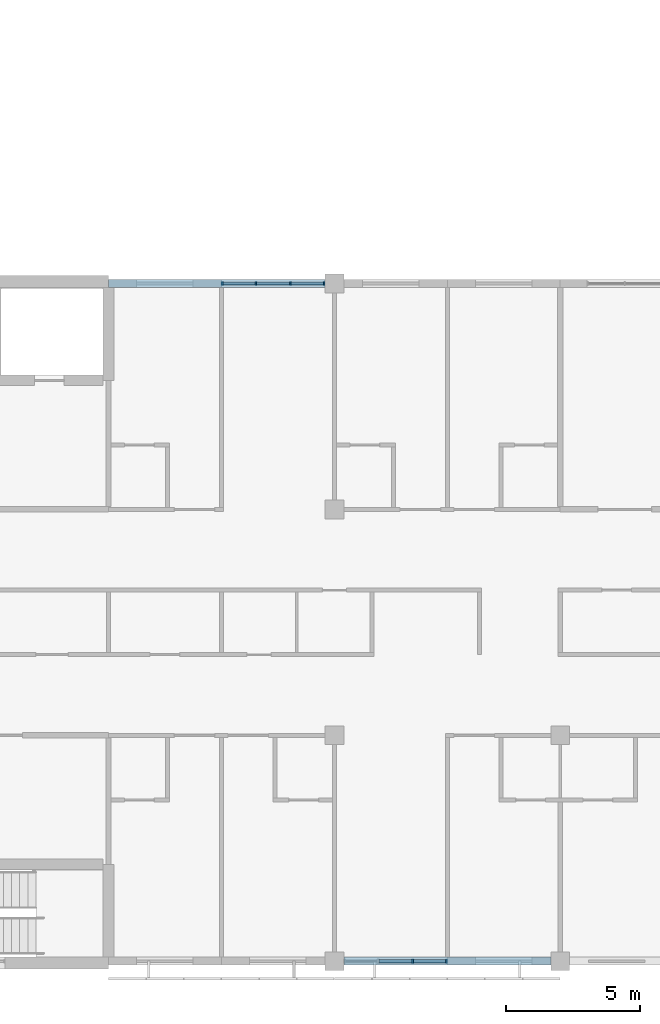
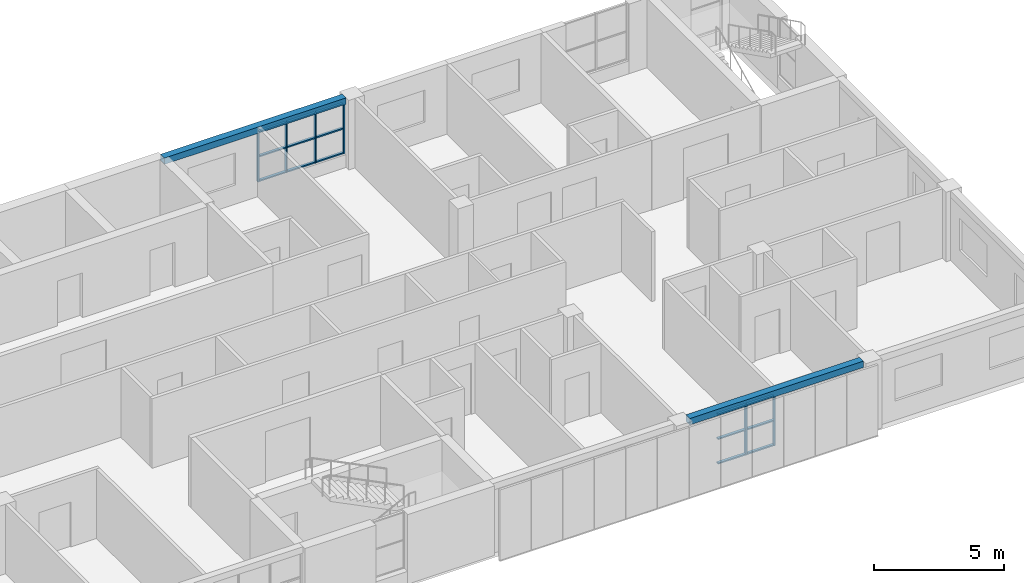
# One storey, part 16 of 45: 21 members, 2 beams, 2 elements without a shape of their own.
"""IFC4 building model written with IfcOpenShell, lengths in metres."""

from ifc_helpers import new_model, si_unit, direction, frame, origin, origin_2d, place, context, subcontext, project, spatial, rectangle, extrude, material, material_profile, profile_set, type_object, element, aggregate, save


model = new_model("IFC4")

# Units and contexts
model_context = context("Model", 3, precision=1e-05, world=origin(), true_north=direction((0.0, 1.0)))
body_context = subcontext(model_context, "Body", "Model", "MODEL_VIEW")
ifc_project = project(units=[si_unit("LENGTHUNIT", "METRE"), si_unit("AREAUNIT", "SQUARE_METRE"), si_unit("VOLUMEUNIT", "CUBIC_METRE"), si_unit("PLANEANGLEUNIT", "RADIAN"), si_unit("MASSUNIT", "GRAM", prefix="KILO")], contexts=[model_context])

# Site, building, storey
site_placement = place(None, origin())
site = spatial("IfcSite", under=ifc_project, at=site_placement, CompositionType="ELEMENT")
building_placement = place(site_placement, origin())
building = spatial("IfcBuilding", under=site, at=building_placement, Name="Yavir Park General Hospital", CompositionType="ELEMENT")
storey_placement = place(building_placement, frame((0.0, 0.0, 22.5)))
storey = spatial("IfcBuildingStorey", under=building, at=storey_placement, Name="L05", CompositionType="ELEMENT", Elevation=22.5)

# Curtain wall, members
ifc_material_1 = material(Name="Aluminium curtain wall frame with insulated glazing", Category="aluminium")
curtain_wall_type = type_object("IfcCurtainWallType", Name="Day room pocket glazing, ward floors, 2360 high, 1400 module", PredefinedType="NOTDEFINED", material=ifc_material_1)
curtain_wall_1_placement = place(storey_placement, origin())
curtain_wall_1 = element("IfcCurtainWall", 1, at=curtain_wall_1_placement, inside=storey, type_object=curtain_wall_type, Name="CW6 L05-009", PredefinedType="NOTDEFINED")
ifc_material_2 = material(Name="Aluminium", Category="aluminium")
ifc_material_profile_1 = material_profile(ifc_material_2, rectangle(XDim=0.139892578125, YDim=0.06005859375, at=origin_2d()), Name="AL 60x140")
ifc_profile_set_1 = profile_set([ifc_material_profile_1], Name="Aluminium")
member_type_1 = type_object("IfcMemberType", Name="Day room pocket glazing, ward floors, 2360 high mullion 60 x 140", PredefinedType="MULLION", material=ifc_profile_set_1)
member_1_placement = place(storey_placement, frame((154.11669921875, 0.0, 0.60009765625), z_axis=(0.0, 0.0, 1.0), x_axis=(0.0, 1.0, 0.0)))
member_1 = element("IfcMember", 2, at=member_1_placement, type_object=member_type_1, Name="CW6 mullion 3", PredefinedType="MULLION", context=body_context, shape_type="SweptSolid", body=[
    extrude(rectangle(XDim=0.139892578125, YDim=0.06005859375, at=origin_2d()), origin(), (0.0, 0.0, 1.0), 2.35986328125),
])
member_2_placement = place(storey_placement, frame((155.3701171875, 0.0, 0.60009765625), z_axis=(0.0, 0.0, 1.0), x_axis=(0.0, 1.0, 0.0)))
member_2 = element("IfcMember", 3, at=member_2_placement, type_object=member_type_1, Name="CW6 mullion 4", PredefinedType="MULLION", context=body_context, shape_type="SweptSolid", body=[
    extrude(rectangle(XDim=0.139892578125, YDim=0.06005859375, at=origin_2d()), origin(), (0.0, 0.0, 1.0), 2.35986328125),
])

curtain_wall_2_placement = place(storey_placement, origin())
curtain_wall_2 = element("IfcCurtainWall", 4, at=curtain_wall_2_placement, inside=storey, type_object=curtain_wall_type, Name="CW6 L05-012", PredefinedType="NOTDEFINED")
member_3_placement = place(storey_placement, frame((147.030029296875, 25.199951171875, 0.60009765625), z_axis=(0.0, 0.0, 1.0), x_axis=(0.0, 1.0, 0.0)))
member_3 = element("IfcMember", 5, at=member_3_placement, type_object=member_type_1, Name="CW6 mullion 1", PredefinedType="MULLION", context=body_context, shape_type="SweptSolid", body=[
    extrude(rectangle(XDim=0.139892578125, YDim=0.06005859375, at=origin_2d()), origin(), (0.0, 0.0, 1.0), 2.35986328125),
])
member_4_placement = place(storey_placement, frame((148.283447265625, 25.199951171875, 0.60009765625), z_axis=(0.0, 0.0, 1.0), x_axis=(0.0, 1.0, 0.0)))
member_4 = element("IfcMember", 6, at=member_4_placement, type_object=member_type_1, Name="CW6 mullion 2", PredefinedType="MULLION", context=body_context, shape_type="SweptSolid", body=[
    extrude(rectangle(XDim=0.139892578125, YDim=0.06005859375, at=origin_2d()), origin(), (0.0, 0.0, 1.0), 2.35986328125),
])
member_5_placement = place(storey_placement, frame((149.566650390625, 25.199951171875, 0.60009765625), z_axis=(0.0, 0.0, 1.0), x_axis=(0.0, 1.0, 0.0)))
member_5 = element("IfcMember", 7, at=member_5_placement, type_object=member_type_1, Name="CW6 mullion 3", PredefinedType="MULLION", context=body_context, shape_type="SweptSolid", body=[
    extrude(rectangle(XDim=0.139892578125, YDim=0.06005859375, at=origin_2d()), origin(), (0.0, 0.0, 1.0), 2.35986328125),
])
member_6_placement = place(storey_placement, frame((150.820068359375, 25.199951171875, 0.60009765625), z_axis=(0.0, 0.0, 1.0), x_axis=(0.0, 1.0, 0.0)))
member_6 = element("IfcMember", 8, at=member_6_placement, type_object=member_type_1, Name="CW6 mullion 4", PredefinedType="MULLION", context=body_context, shape_type="SweptSolid", body=[
    extrude(rectangle(XDim=0.139892578125, YDim=0.06005859375, at=origin_2d()), origin(), (0.0, 0.0, 1.0), 2.35986328125),
])

# Member
ifc_material_3 = material(Name="Aluminium", Category="aluminium")
ifc_material_profile_2 = material_profile(ifc_material_3, rectangle(XDim=0.1201171875, YDim=0.06005859375, at=origin_2d()), Name="AL 120x60")
ifc_profile_set_2 = profile_set([ifc_material_profile_2], Name="Aluminium")
member_type_2 = type_object("IfcMemberType", Name="Day room pocket glazing, ward floors, 2360 high transom 60 x 120", PredefinedType="MULLION", material=ifc_profile_set_2)
member_7_placement = place(storey_placement, frame((152.86328125, 0.0, 0.6298828125), z_axis=(1.0, 0.0, 0.0), x_axis=(0.0, 1.0, 0.0)))
member_7 = element("IfcMember", 9, at=member_7_placement, type_object=member_type_2, Name="CW6 transom 2.1", PredefinedType="MULLION", context=body_context, shape_type="SweptSolid", body=[
    extrude(rectangle(XDim=0.1201171875, YDim=0.06005859375, at=origin_2d()), origin(), (0.0, 0.0, 1.0), 1.223388671875),
])

member_8_placement = place(storey_placement, frame((152.86328125, 0.0, 1.780029296875), z_axis=(1.0, 0.0, 0.0), x_axis=(0.0, 1.0, 0.0)))
member_8 = element("IfcMember", 10, at=member_8_placement, type_object=member_type_2, Name="CW6 transom 2.2", PredefinedType="MULLION", context=body_context, shape_type="SweptSolid", body=[
    extrude(rectangle(XDim=0.1201171875, YDim=0.06005859375, at=origin_2d()), origin(), (0.0, 0.0, 1.0), 1.223388671875),
])

member_9_placement = place(storey_placement, frame((152.86328125, 0.0, 2.929931640625), z_axis=(1.0, 0.0, 0.0), x_axis=(0.0, 1.0, 0.0)))
member_9 = element("IfcMember", 11, at=member_9_placement, type_object=member_type_2, Name="CW6 transom 2.3", PredefinedType="MULLION", context=body_context, shape_type="SweptSolid", body=[
    extrude(rectangle(XDim=0.1201171875, YDim=0.06005859375, at=origin_2d()), origin(), (0.0, 0.0, 1.0), 1.223388671875),
])

member_10_placement = place(storey_placement, frame((154.146728515625, 0.0, 0.6298828125), z_axis=(1.0, 0.0, 0.0), x_axis=(0.0, 1.0, 0.0)))
member_10 = element("IfcMember", 12, at=member_10_placement, type_object=member_type_2, Name="CW6 transom 3.1", PredefinedType="MULLION", context=body_context, shape_type="SweptSolid", body=[
    extrude(rectangle(XDim=0.1201171875, YDim=0.06005859375, at=origin_2d()), origin(), (0.0, 0.0, 1.0), 1.193359375),
])

member_11_placement = place(storey_placement, frame((154.146728515625, 0.0, 1.780029296875), z_axis=(1.0, 0.0, 0.0), x_axis=(0.0, 1.0, 0.0)))
member_11 = element("IfcMember", 13, at=member_11_placement, type_object=member_type_2, Name="CW6 transom 3.2", PredefinedType="MULLION", context=body_context, shape_type="SweptSolid", body=[
    extrude(rectangle(XDim=0.1201171875, YDim=0.06005859375, at=origin_2d()), origin(), (0.0, 0.0, 1.0), 1.193359375),
])

member_12_placement = place(storey_placement, frame((154.146728515625, 0.0, 2.929931640625), z_axis=(1.0, 0.0, 0.0), x_axis=(0.0, 1.0, 0.0)))
member_12 = element("IfcMember", 14, at=member_12_placement, type_object=member_type_2, Name="CW6 transom 3.3", PredefinedType="MULLION", context=body_context, shape_type="SweptSolid", body=[
    extrude(rectangle(XDim=0.1201171875, YDim=0.06005859375, at=origin_2d()), origin(), (0.0, 0.0, 1.0), 1.193359375),
])

aggregate(curtain_wall_1, [member_1, member_2, member_7, member_8, member_9, member_10, member_11, member_12])

member_13_placement = place(storey_placement, frame((147.06005859375, 25.199951171875, 0.6298828125), z_axis=(1.0, 0.0, 0.0), x_axis=(0.0, 1.0, 0.0)))
member_13 = element("IfcMember", 15, at=member_13_placement, type_object=member_type_2, Name="CW6 transom 1.1", PredefinedType="MULLION", context=body_context, shape_type="SweptSolid", body=[
    extrude(rectangle(XDim=0.1201171875, YDim=0.06005859375, at=origin_2d()), origin(), (0.0, 0.0, 1.0), 1.193359375),
])

member_14_placement = place(storey_placement, frame((147.06005859375, 25.199951171875, 1.780029296875), z_axis=(1.0, 0.0, 0.0), x_axis=(0.0, 1.0, 0.0)))
member_14 = element("IfcMember", 16, at=member_14_placement, type_object=member_type_2, Name="CW6 transom 1.2", PredefinedType="MULLION", context=body_context, shape_type="SweptSolid", body=[
    extrude(rectangle(XDim=0.1201171875, YDim=0.06005859375, at=origin_2d()), origin(), (0.0, 0.0, 1.0), 1.193359375),
])

member_15_placement = place(storey_placement, frame((147.06005859375, 25.199951171875, 2.929931640625), z_axis=(1.0, 0.0, 0.0), x_axis=(0.0, 1.0, 0.0)))
member_15 = element("IfcMember", 17, at=member_15_placement, type_object=member_type_2, Name="CW6 transom 1.3", PredefinedType="MULLION", context=body_context, shape_type="SweptSolid", body=[
    extrude(rectangle(XDim=0.1201171875, YDim=0.06005859375, at=origin_2d()), origin(), (0.0, 0.0, 1.0), 1.193359375),
])

member_16_placement = place(storey_placement, frame((148.313232421875, 25.199951171875, 0.6298828125), z_axis=(1.0, 0.0, 0.0), x_axis=(0.0, 1.0, 0.0)))
member_16 = element("IfcMember", 18, at=member_16_placement, type_object=member_type_2, Name="CW6 transom 2.1", PredefinedType="MULLION", context=body_context, shape_type="SweptSolid", body=[
    extrude(rectangle(XDim=0.1201171875, YDim=0.06005859375, at=origin_2d()), origin(), (0.0, 0.0, 1.0), 1.223388671875),
])

member_17_placement = place(storey_placement, frame((148.313232421875, 25.199951171875, 1.780029296875), z_axis=(1.0, 0.0, 0.0), x_axis=(0.0, 1.0, 0.0)))
member_17 = element("IfcMember", 19, at=member_17_placement, type_object=member_type_2, Name="CW6 transom 2.2", PredefinedType="MULLION", context=body_context, shape_type="SweptSolid", body=[
    extrude(rectangle(XDim=0.1201171875, YDim=0.06005859375, at=origin_2d()), origin(), (0.0, 0.0, 1.0), 1.223388671875),
])

member_18_placement = place(storey_placement, frame((148.313232421875, 25.199951171875, 2.929931640625), z_axis=(1.0, 0.0, 0.0), x_axis=(0.0, 1.0, 0.0)))
member_18 = element("IfcMember", 20, at=member_18_placement, type_object=member_type_2, Name="CW6 transom 2.3", PredefinedType="MULLION", context=body_context, shape_type="SweptSolid", body=[
    extrude(rectangle(XDim=0.1201171875, YDim=0.06005859375, at=origin_2d()), origin(), (0.0, 0.0, 1.0), 1.223388671875),
])

member_19_placement = place(storey_placement, frame((149.5966796875, 25.199951171875, 0.6298828125), z_axis=(1.0, 0.0, 0.0), x_axis=(0.0, 1.0, 0.0)))
member_19 = element("IfcMember", 21, at=member_19_placement, type_object=member_type_2, Name="CW6 transom 3.1", PredefinedType="MULLION", context=body_context, shape_type="SweptSolid", body=[
    extrude(rectangle(XDim=0.1201171875, YDim=0.06005859375, at=origin_2d()), origin(), (0.0, 0.0, 1.0), 1.193359375),
])

member_20_placement = place(storey_placement, frame((149.5966796875, 25.199951171875, 1.780029296875), z_axis=(1.0, 0.0, 0.0), x_axis=(0.0, 1.0, 0.0)))
member_20 = element("IfcMember", 22, at=member_20_placement, type_object=member_type_2, Name="CW6 transom 3.2", PredefinedType="MULLION", context=body_context, shape_type="SweptSolid", body=[
    extrude(rectangle(XDim=0.1201171875, YDim=0.06005859375, at=origin_2d()), origin(), (0.0, 0.0, 1.0), 1.193359375),
])

member_21_placement = place(storey_placement, frame((149.5966796875, 25.199951171875, 2.929931640625), z_axis=(1.0, 0.0, 0.0), x_axis=(0.0, 1.0, 0.0)))
member_21 = element("IfcMember", 23, at=member_21_placement, type_object=member_type_2, Name="CW6 transom 3.3", PredefinedType="MULLION", context=body_context, shape_type="SweptSolid", body=[
    extrude(rectangle(XDim=0.1201171875, YDim=0.06005859375, at=origin_2d()), origin(), (0.0, 0.0, 1.0), 1.193359375),
])

aggregate(curtain_wall_2, [member_3, member_4, member_5, member_6, member_13, member_14, member_15, member_16, member_17, member_18, member_19, member_20, member_21])

# Beams
ifc_material_4 = material(Name="Concrete C35/45", Category="concrete")
ifc_material_profile_3 = material_profile(ifc_material_4, rectangle(XDim=0.300048828125, YDim=0.300048828125, at=origin_2d()), Name="RC300x300")
ifc_profile_set_3 = profile_set([ifc_material_profile_3], Name="Concrete C35/45")
beam_type = type_object("IfcBeamType", Name="RC BEAM 300x300 edge beam", PredefinedType="BEAM", material=ifc_profile_set_3)
beam_1_placement = place(storey_placement, frame((151.550048828125, 0.0, 3.110107421875), z_axis=(1.0, 0.0, 0.0), x_axis=(0.0, 1.0, 0.0)))
element("IfcBeam", 24, at=beam_1_placement, inside=storey, type_object=beam_type, Name="B:EDGE:L05:009", PredefinedType="BEAM", context=body_context, shape_type="SweptSolid", body=[
    extrude(rectangle(XDim=0.300048828125, YDim=0.300048828125, at=origin_2d()), origin(), (0.0, 0.0, 1.0), 7.699951171875),
])
beam_2_placement = place(storey_placement, frame((142.800048828125, 25.199951171875, 3.110107421875), z_axis=(1.0, 0.0, 0.0), x_axis=(0.0, 1.0, 0.0)))
element("IfcBeam", 25, at=beam_2_placement, inside=storey, type_object=beam_type, Name="B:EDGE:L05:014", PredefinedType="BEAM", context=body_context, shape_type="SweptSolid", body=[
    extrude(rectangle(XDim=0.300048828125, YDim=0.300048828125, at=origin_2d()), origin(), (0.0, 0.0, 1.0), 8.050048828125),
])

save(model, "model.ifc")
